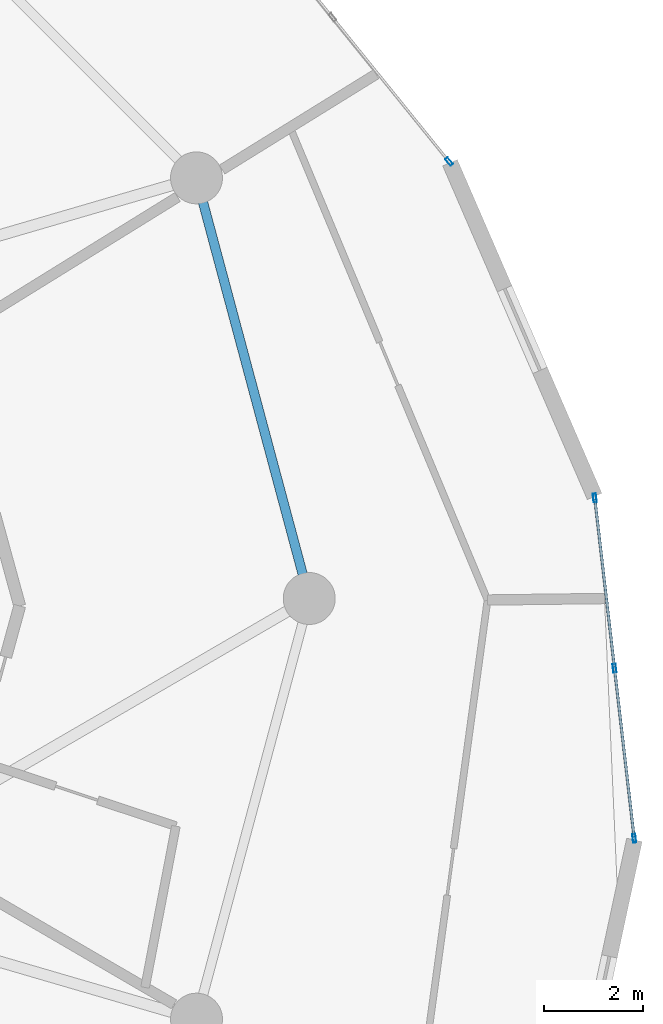
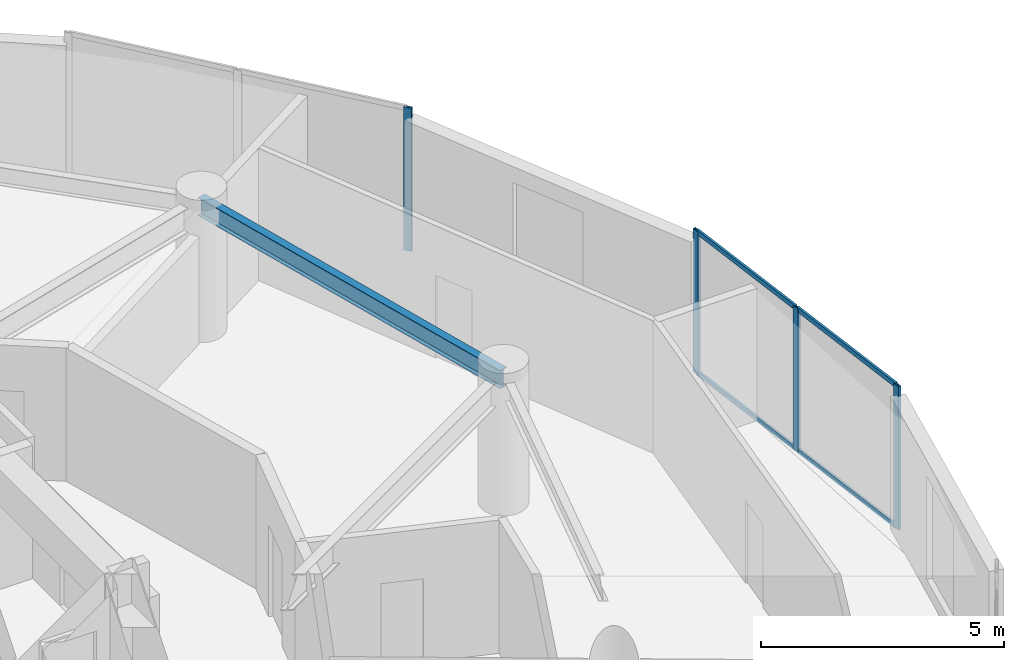
# One storey, part 11 of 21: 8 members, 1 beam, 2 elements without a shape of their own.
"""IFC4 building model written with IfcOpenShell, lengths in metres."""

from ifc_helpers import new_model, si_unit, direction, frame, origin, origin_2d, place, context, subcontext, project, spatial, hollow_rectangle, i_section, extrude, source, transform, mapped, material, layer, layer_set, material_profile, profile_set, type_object, element, aggregate, save


model = new_model("IFC4")

# Units and contexts
model_context = context("Model", 3, precision=1e-05, world=origin(), true_north=direction((0.0, 1.0)))
body_context = subcontext(model_context, "Body", "Model", "MODEL_VIEW")
ifc_project = project(units=[si_unit("LENGTHUNIT", "METRE"), si_unit("AREAUNIT", "SQUARE_METRE"), si_unit("VOLUMEUNIT", "CUBIC_METRE"), si_unit("PLANEANGLEUNIT", "RADIAN"), si_unit("MASSUNIT", "GRAM", prefix="KILO")], contexts=[model_context])

# Site, building, storey
site_placement = place(None, origin())
site = spatial("IfcSite", under=ifc_project, at=site_placement, CompositionType="ELEMENT")
building_placement = place(site_placement, origin())
building = spatial("IfcBuilding", under=site, at=building_placement, Name="Solvirekh Grand Hotel", CompositionType="ELEMENT")
storey_placement = place(building_placement, frame((0.0, 0.0, 142.199951171875)))
storey = spatial("IfcBuildingStorey", under=building, at=storey_placement, Name="L36", CompositionType="ELEMENT", Elevation=142.199951171875)

# Beam
ifc_material_1 = material(Name="Steel S355", Category="steel")
ifc_material_profile_1 = material_profile(ifc_material_1, i_section(OverallWidth=0.18994140625, OverallDepth=0.45703125, WebThickness=0.009033203125, FlangeThickness=0.013916015625, FilletRadius=0.012939453125, at=origin_2d()), Name="W460X74")
ifc_profile_set_1 = profile_set([ifc_material_profile_1], Name="Steel S355")
beam_type = type_object("IfcBeamType", Name="Spandrel_Ring_W460", PredefinedType="SPANDREL", material=ifc_profile_set_1)
beam_placement = place(storey_placement, frame((17.0, 0.0, 3.1220703125), z_axis=(-0.258872908946, 0.965911391906, 0.0), x_axis=(-0.965911391906, -0.258872908946, 0.0)))
element("IfcBeam", 1, at=beam_placement, inside=storey, type_object=beam_type, Name="L36 perimeter spandrel beam 1", PredefinedType="SPANDREL", context=body_context, shape_type="SweptSolid", body=[
    extrude(i_section(OverallWidth=0.18994140625, OverallDepth=0.45703125, WebThickness=0.009033203125, FlangeThickness=0.013916015625, FilletRadius=0.012939453125, at=origin_2d()), origin(), (0.0, 0.0, 1.0), 8.800048828125),
])

# Curtain wall, members
ifc_material_2 = material(Name="Anodized Bronze Aluminium 6063-T6", Category="aluminium")
ifc_layer = layer(ifc_material_2, 0.175048828125)
ifc_layer_set = layer_set([ifc_layer], Name="Anodized Bronze Aluminium 6063-T6")
curtain_wall_type = type_object("IfcCurtainWallType", Name="CW_Sys3_MidZoneFlushBronzeCW", PredefinedType="NOTDEFINED", material=ifc_layer_set)
curtain_wall_1_placement = place(storey_placement, origin())
curtain_wall_1 = element("IfcCurtainWall", 2, at=curtain_wall_1_placement, inside=storey, type_object=curtain_wall_type, Name="L36 unitised bronze-glass curtain wall CW-L36-C03", PredefinedType="NOTDEFINED")
ifc_material_profile_2 = material_profile(ifc_material_2, hollow_rectangle(XDim=0.06494140625, YDim=0.175048828125, WallThickness=0.0048828125, at=origin_2d()), Name="ALU RHS 175X65X5")
ifc_profile_set_2 = profile_set([ifc_material_profile_2], Name="Anodized Bronze Aluminium 6063-T6")
member_type_1 = type_object("IfcMemberType", Name="CWMullion_Sys3", PredefinedType="MULLION", material=ifc_profile_set_2)
shared_shape_1 = source(origin(), body_context, "Body", "SweptSolid", [
    extrude(hollow_rectangle(XDim=0.06494140625, YDim=0.175048828125, WallThickness=0.0048828125, at=origin_2d()), origin(), (0.0, 0.0, 1.0), 3.60009765625),
])
member_1_placement = place(storey_placement, frame((23.568359375, -4.8466796875, 0.0), z_axis=(0.0, 0.0, 1.0), x_axis=(-0.993345498813, -0.115172566124, 0.0)))
member_1 = element("IfcMember", 3, at=member_1_placement, type_object=member_type_1, Name="U03 mullion 1", PredefinedType="MULLION", context=body_context, shape_type="MappedRepresentation", body=[
    mapped(shared_shape_1, transform((0.0, 0.0, 0.0), x_axis=(1.0, 0.0, 0.0), y_axis=(0.0, 1.0, 0.0), z_axis=(0.0, 0.0, 1.0), scale=1.0)),
])
member_2_placement = place(storey_placement, frame((23.16943359375, -1.407470703125, 0.0), z_axis=(0.0, 0.0, 1.0), x_axis=(-0.993345498813, -0.115172566124, 0.0)))
member_2 = element("IfcMember", 4, at=member_2_placement, type_object=member_type_1, Name="U03 mullion 2", PredefinedType="MULLION", context=body_context, shape_type="MappedRepresentation", body=[
    mapped(shared_shape_1, transform((0.0, 0.0, 0.0), x_axis=(1.0, 0.0, 0.0), y_axis=(0.0, 1.0, 0.0), z_axis=(0.0, 0.0, 1.0), scale=1.0)),
])
member_3_placement = place(storey_placement, frame((22.770751953125, 2.03173828125, 0.0), z_axis=(0.0, 0.0, 1.0), x_axis=(-0.993345498813, -0.115172566124, 0.0)))
member_3 = element("IfcMember", 5, at=member_3_placement, type_object=member_type_1, Name="U03 mullion 3", PredefinedType="MULLION", context=body_context, shape_type="MappedRepresentation", body=[
    mapped(shared_shape_1, transform((0.0, 0.0, 0.0), x_axis=(1.0, 0.0, 0.0), y_axis=(0.0, 1.0, 0.0), z_axis=(0.0, 0.0, 1.0), scale=1.0)),
])

# Curtain wall, member
curtain_wall_2_placement = place(storey_placement, origin())
curtain_wall_2 = element("IfcCurtainWall", 6, at=curtain_wall_2_placement, inside=storey, type_object=curtain_wall_type, Name="L36 unitised bronze-glass curtain wall CW-L36-C05", PredefinedType="NOTDEFINED")
member_4_placement = place(storey_placement, frame((19.82568359375, 8.830322265625, 0.0), z_axis=(0.0, 0.0, 1.0), x_axis=(-0.777709834116, -0.628623427752, 0.0)))
member_4 = element("IfcMember", 7, at=member_4_placement, type_object=member_type_1, Name="U03 mullion 1", PredefinedType="MULLION", context=body_context, shape_type="MappedRepresentation", body=[
    mapped(shared_shape_1, transform((0.0, 0.0, 0.0), x_axis=(1.0, 0.0, 0.0), y_axis=(0.0, 1.0, 0.0), z_axis=(0.0, 0.0, 1.0), scale=1.0)),
])
aggregate(curtain_wall_2, [member_4])

# Member
ifc_material_profile_3 = material_profile(ifc_material_2, hollow_rectangle(XDim=0.054931640625, YDim=0.1201171875, WallThickness=0.00390625, at=origin_2d()), Name="ALU RHS 120X55X4")
ifc_profile_set_3 = profile_set([ifc_material_profile_3], Name="Anodized Bronze Aluminium 6063-T6")
member_type_2 = type_object("IfcMemberType", Name="CWTransom_Sys3", PredefinedType="USERDEFINED", material=ifc_profile_set_3)
shared_shape_2 = source(origin(), body_context, "Body", "SweptSolid", [
    extrude(hollow_rectangle(XDim=0.054931640625, YDim=0.1201171875, WallThickness=0.00390625, at=origin_2d()), origin(), (0.0, 0.0, 1.0), 3.3974609375),
])
member_5_placement = place(storey_placement, frame((23.564453125, -4.814453125, 0.027587890625), z_axis=(-0.11512324732, 0.993351215798, 0.0), x_axis=(-0.993351215798, -0.11512324732, 0.0)))
member_5 = element("IfcMember", 8, at=member_5_placement, type_object=member_type_2, Name="U03 transom 1.1", ObjectType="TRANSOM", PredefinedType="USERDEFINED", context=body_context, shape_type="MappedRepresentation", body=[
    mapped(shared_shape_2, transform((0.0, 0.0, 0.0), x_axis=(1.0, 0.0, 0.0), y_axis=(0.0, 1.0, 0.0), z_axis=(0.0, 0.0, 1.0), scale=1.0)),
])

member_6_placement = place(storey_placement, frame((23.564453125, -4.814453125, 3.572509765625), z_axis=(-0.11512324732, 0.993351215798, 0.0), x_axis=(-0.993351215798, -0.11512324732, 0.0)))
member_6 = element("IfcMember", 9, at=member_6_placement, type_object=member_type_2, Name="U03 transom 1.2", ObjectType="TRANSOM", PredefinedType="USERDEFINED", context=body_context, shape_type="MappedRepresentation", body=[
    mapped(shared_shape_2, transform((0.0, 0.0, 0.0), x_axis=(1.0, 0.0, 0.0), y_axis=(0.0, 1.0, 0.0), z_axis=(0.0, 0.0, 1.0), scale=1.0)),
])

member_7_placement = place(storey_placement, frame((23.165771484375, -1.375244140625, 0.027587890625), z_axis=(-0.115194156226, 0.99334299533, 0.0), x_axis=(-0.99334299533, -0.115194156226, 0.0)))
member_7 = element("IfcMember", 10, at=member_7_placement, type_object=member_type_2, Name="U03 transom 2.1", ObjectType="TRANSOM", PredefinedType="USERDEFINED", context=body_context, shape_type="MappedRepresentation", body=[
    mapped(shared_shape_2, transform((0.0, 0.0, 0.0), x_axis=(1.0, 0.0, 0.0), y_axis=(0.0, 1.0, 0.0), z_axis=(0.0, 0.0, 1.0), scale=1.0)),
])

member_8_placement = place(storey_placement, frame((23.165771484375, -1.375244140625, 3.572509765625), z_axis=(-0.115194156226, 0.99334299533, 0.0), x_axis=(-0.99334299533, -0.115194156226, 0.0)))
member_8 = element("IfcMember", 11, at=member_8_placement, type_object=member_type_2, Name="U03 transom 2.2", ObjectType="TRANSOM", PredefinedType="USERDEFINED", context=body_context, shape_type="MappedRepresentation", body=[
    mapped(shared_shape_2, transform((0.0, 0.0, 0.0), x_axis=(1.0, 0.0, 0.0), y_axis=(0.0, 1.0, 0.0), z_axis=(0.0, 0.0, 1.0), scale=1.0)),
])

aggregate(curtain_wall_1, [member_1, member_2, member_3, member_5, member_6, member_7, member_8])

save(model, "model.ifc")
